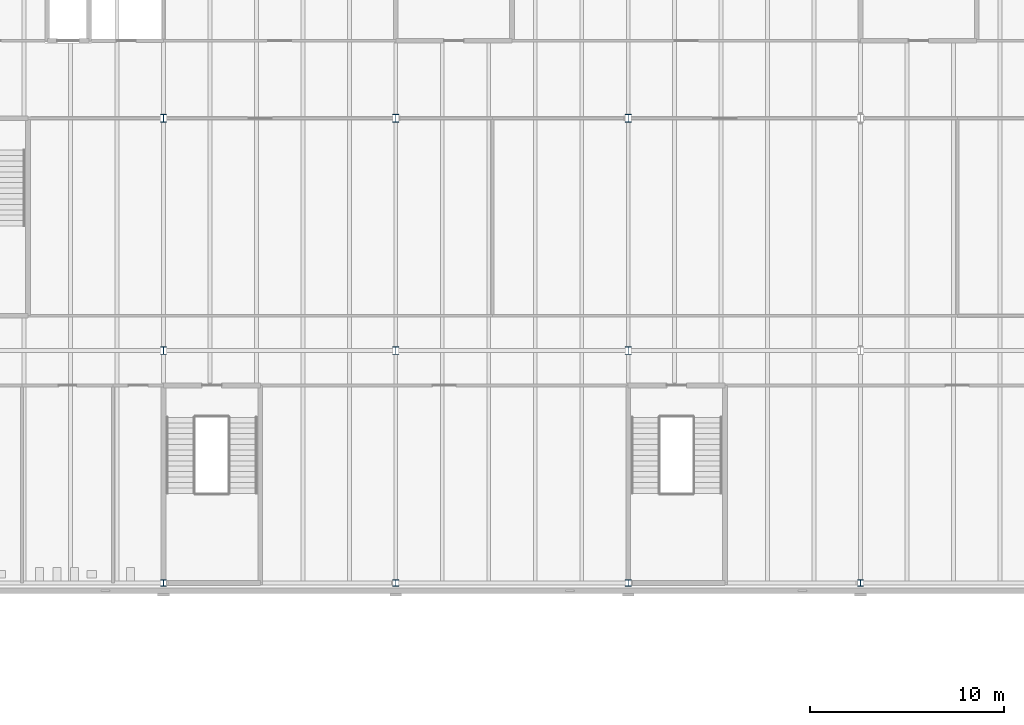
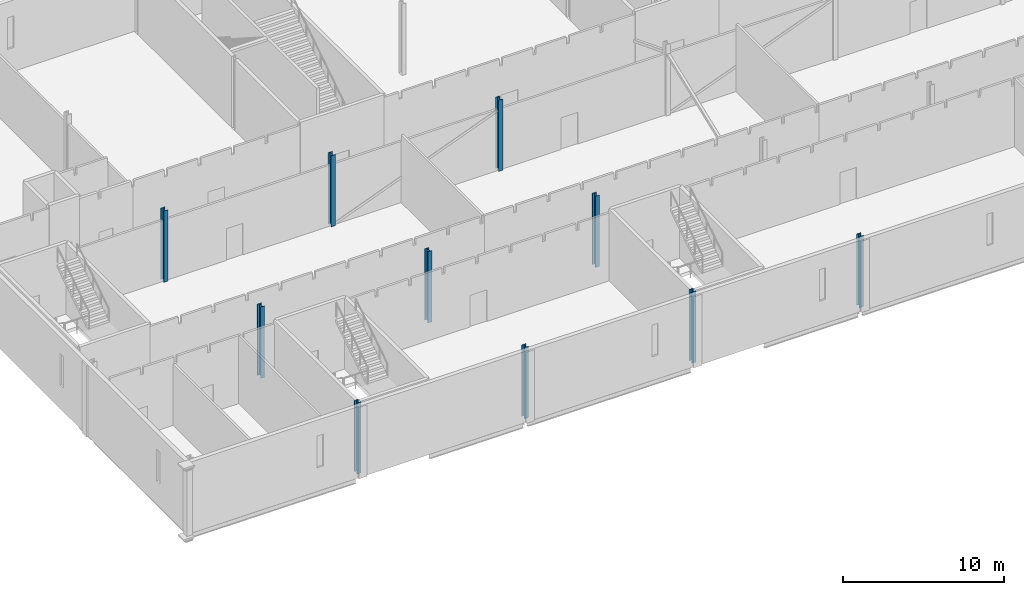
# One storey, part 10 of 170: 10 columns.
"""IFC4 building model written with IfcOpenShell, lengths in metres."""

from ifc_helpers import new_model, si_unit, direction, frame, origin, origin_2d, place, context, subcontext, project, spatial, i_section, extrude, material, material_profile, profile_set, type_object, element, save


model = new_model("IFC4")

# Units and contexts
model_context = context("Model", 3, precision=1e-05, world=origin(), true_north=direction((0.0, 1.0)))
body_context = subcontext(model_context, "Body", "Model", "MODEL_VIEW")
ifc_project = project(units=[si_unit("LENGTHUNIT", "METRE"), si_unit("AREAUNIT", "SQUARE_METRE"), si_unit("VOLUMEUNIT", "CUBIC_METRE"), si_unit("PLANEANGLEUNIT", "RADIAN"), si_unit("MASSUNIT", "GRAM", prefix="KILO")], contexts=[model_context])

# Site, building, storey
site_placement = place(None, origin())
site = spatial("IfcSite", under=ifc_project, at=site_placement, CompositionType="ELEMENT")
building_placement = place(site_placement, origin())
building = spatial("IfcBuilding", under=site, at=building_placement, Name="Ravi Spectrum Wholesale Market", CompositionType="ELEMENT")
storey_placement = place(building_placement, frame((0.0, 0.0, 5.39990234375)))
storey = spatial("IfcBuildingStorey", under=building, at=storey_placement, Name="L01", CompositionType="ELEMENT", Elevation=5.39990234375)

# Columns
ifc_material_1 = material(Name="Steel S355", Category="steel")
ifc_material_profile_1 = material_profile(ifc_material_1, i_section(OverallWidth=0.300048828125, OverallDepth=0.340087890625, WebThickness=0.011962890625, FlangeThickness=0.021484375, at=origin_2d()))
ifc_profile_set_1 = profile_set([ifc_material_profile_1], Name="Steel S355")
column_type_1 = type_object("IfcColumnType", Name="HEB 340 column", PredefinedType="COLUMN", material=ifc_profile_set_1)
for number, where, z_axis, x_axis, name in (
    (1, (210.0, 18.0, 0.0), (0.0, 0.0, 1.0), (1.0, 0.0, 0.0), "CS-COL-L01-006"),
    (2, (222.0, 18.0, 0.0), (0.0, 0.0, 1.0), (1.0, 0.0, 0.0), "CS-COL-L01-011"),
    (3, (234.0, 18.0, 0.0), (0.0, 0.0, 1.0), (1.0, 0.0, 0.0), "CS-COL-L01-016"),
    (4, (246.0, 18.0, 0.0), (0.0, 0.0, 1.0), (1.0, 0.0, 0.0), "CS-COL-L01-021"),
):
    element("IfcColumn", number, at=place(storey_placement, frame(where, z_axis=z_axis, x_axis=x_axis)), inside=storey, type_object=column_type_1, Name=name, PredefinedType="COLUMN", context=body_context, shape_type="SweptSolid", body=[
        extrude(i_section(OverallWidth=0.300048828125, OverallDepth=0.340087890625, WebThickness=0.011962890625, FlangeThickness=0.021484375, at=origin_2d()), origin(), (0.0, 0.0, 1.0), 5.400146484375),
    ])
ifc_material_2 = material(Name="Steel S355", Category="steel")
ifc_material_profile_2 = material_profile(ifc_material_2, i_section(OverallWidth=0.300048828125, OverallDepth=0.39990234375, WebThickness=0.013427734375, FlangeThickness=0.02392578125, at=origin_2d()))
ifc_profile_set_2 = profile_set([ifc_material_profile_2], Name="Steel S355")
column_type_2 = type_object("IfcColumnType", Name="HEB 400 column", PredefinedType="COLUMN", material=ifc_profile_set_2)
for number, where, z_axis, x_axis, name in (
    (5, (210.0, 30.0, 0.0), (0.0, 0.0, 1.0), (1.0, 0.0, 0.0), "CS-COL-L01-007"),
    (6, (210.0, 42.0, 0.0), (0.0, 0.0, 1.0), (1.0, 0.0, 0.0), "CS-COL-L01-008"),
    (7, (222.0, 30.0, 0.0), (0.0, 0.0, 1.0), (1.0, 0.0, 0.0), "CS-COL-L01-012"),
    (8, (222.0, 42.0, 0.0), (0.0, 0.0, 1.0), (1.0, 0.0, 0.0), "CS-COL-L01-013"),
    (9, (234.0, 30.0, 0.0), (0.0, 0.0, 1.0), (1.0, 0.0, 0.0), "CS-COL-L01-017"),
    (10, (234.0, 42.0, 0.0), (0.0, 0.0, 1.0), (1.0, 0.0, 0.0), "CS-COL-L01-018"),
):
    element("IfcColumn", number, at=place(storey_placement, frame(where, z_axis=z_axis, x_axis=x_axis)), inside=storey, type_object=column_type_2, Name=name, PredefinedType="COLUMN", context=body_context, shape_type="SweptSolid", body=[
        extrude(i_section(OverallWidth=0.300048828125, OverallDepth=0.39990234375, WebThickness=0.013427734375, FlangeThickness=0.02392578125, at=origin_2d()), origin(), (0.0, 0.0, 1.0), 5.400146484375),
    ])

save(model, "model.ifc")
